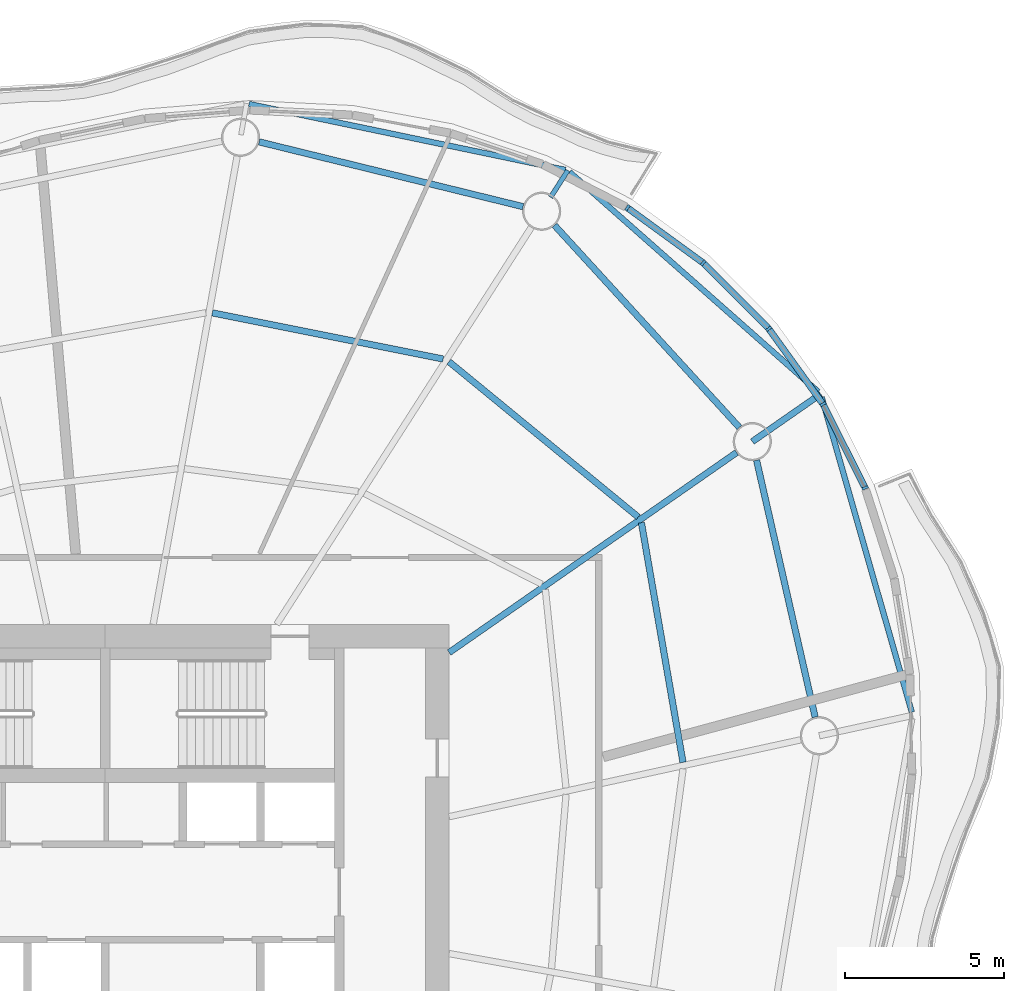
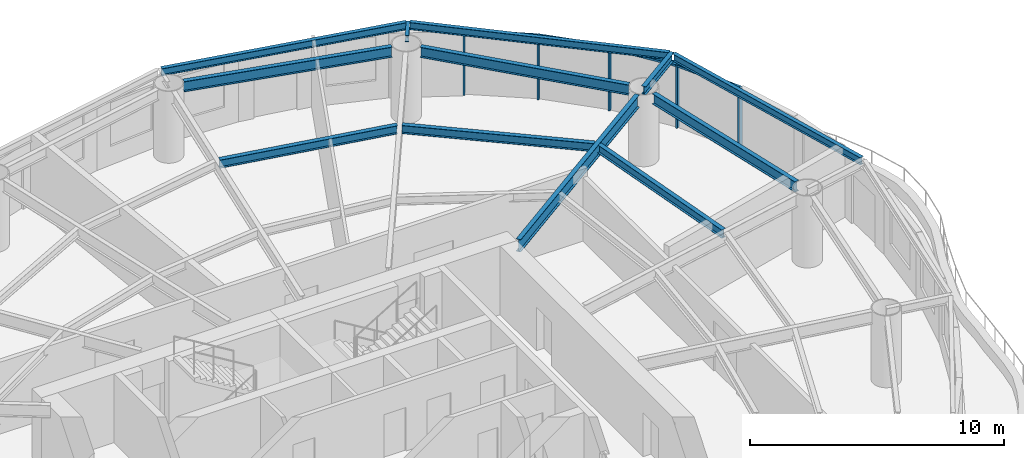
# One storey, part 6 of 14: 12 beams, 9 members, 4 elements without a shape of their own.
"""IFC4 building model written with IfcOpenShell, lengths in metres."""

from ifc_helpers import new_model, si_unit, direction, frame, origin, origin_2d, place, context, subcontext, project, spatial, rectangle, i_section, extrude, material, material_profile, profile_set, type_object, element, aggregate, save


model = new_model("IFC4")

# Units and contexts
model_context = context("Model", 3, precision=1e-05, world=origin(), true_north=direction((0.0, 1.0)))
body_context = subcontext(model_context, "Body", "Model", "MODEL_VIEW")
ifc_project = project(units=[si_unit("LENGTHUNIT", "METRE"), si_unit("AREAUNIT", "SQUARE_METRE"), si_unit("VOLUMEUNIT", "CUBIC_METRE"), si_unit("PLANEANGLEUNIT", "RADIAN"), si_unit("MASSUNIT", "GRAM", prefix="KILO")], contexts=[model_context])

# Site, building, storey
site_placement = place(None, origin())
site = spatial("IfcSite", under=ifc_project, at=site_placement, CompositionType="ELEMENT")
building_placement = place(site_placement, origin())
building = spatial("IfcBuilding", under=site, at=building_placement, Name="Vermilion Reach Broadcast Tower", CompositionType="ELEMENT")
storey_placement = place(building_placement, frame((0.0, 0.0, 195.699951171875)))
storey = spatial("IfcBuildingStorey", under=building, at=storey_placement, Name="L47", CompositionType="ELEMENT", Elevation=195.699951171875)

# Beams
ifc_material_1 = material(Name="Steel S355J2", Category="steel")
ifc_material_profile_1 = material_profile(ifc_material_1, i_section(OverallWidth=0.175048828125, OverallDepth=0.35009765625, WebThickness=0.007080078125, FlangeThickness=0.010986328125, at=origin_2d()), Name="S355J2 HN 350x175x7x11")
ifc_profile_set_1 = profile_set([ifc_material_profile_1], Name="Steel S355J2")
beam_type_1 = type_object("IfcBeamType", Name="EB4 HN 350x175x7x11", PredefinedType="BEAM", material=ifc_profile_set_1)
beam_1_placement = place(storey_placement, frame((8.4462890625, 22.667236328125, 3.275146484375), z_axis=(-0.978954587218, 0.204078210904, 0.0), x_axis=(-0.204078210904, -0.978954587218, 0.0)))
element("IfcBeam", 1, at=beam_1_placement, inside=storey, type_object=beam_type_1, Name="Edge beam EB4-01", PredefinedType="BEAM", context=body_context, shape_type="SweptSolid", body=[
    extrude(i_section(OverallWidth=0.175048828125, OverallDepth=0.35009765625, WebThickness=0.007080078125, FlangeThickness=0.010986328125, at=origin_2d()), origin(), (0.0, 0.0, 1.0), 10.14599609375),
])
beam_2_placement = place(storey_placement, frame((19.326904296875, 5.638427734375, 3.275146484375), z_axis=(-0.275141029007, 0.961403876712, 0.0), x_axis=(-0.961403876712, -0.275141029007, 0.0)))
element("IfcBeam", 2, at=beam_2_placement, inside=storey, type_object=beam_type_1, Name="Edge beam EB4-15", PredefinedType="BEAM", context=body_context, shape_type="SweptSolid", body=[
    extrude(i_section(OverallWidth=0.175048828125, OverallDepth=0.35009765625, WebThickness=0.007080078125, FlangeThickness=0.010986328125, at=origin_2d()), origin(), (0.0, 0.0, 1.0), 10.28955078125),
])
beam_3_placement = place(storey_placement, frame((16.3896484375, 15.700439453125, 3.275146484375), z_axis=(-0.749330978074, 0.662195654847, 0.0), x_axis=(-0.662195654847, -0.749330978074, 0.0)))
element("IfcBeam", 3, at=beam_3_placement, inside=storey, type_object=beam_type_1, Name="Edge beam EB4-16", PredefinedType="BEAM", context=body_context, shape_type="SweptSolid", body=[
    extrude(i_section(OverallWidth=0.175048828125, OverallDepth=0.35009765625, WebThickness=0.007080078125, FlangeThickness=0.010986328125, at=origin_2d()), origin(), (0.0, 0.0, 1.0), 10.420166015625),
])
ifc_material_2 = material(Name="Steel S355J2", Category="steel")
ifc_material_profile_2 = material_profile(ifc_material_2, i_section(OverallWidth=0.199951171875, OverallDepth=0.60009765625, WebThickness=0.010986328125, FlangeThickness=0.01708984375, at=origin_2d()), Name="S355J2 HN 600x200x11x17")
ifc_profile_set_2 = profile_set([ifc_material_profile_2], Name="Steel S355J2")
beam_type_2 = type_object("IfcBeamType", Name="G4 HN 600x200x11x17", PredefinedType="BEAM", material=ifc_profile_set_2)
beam_4_placement = place(storey_placement, frame((4.800048828125, 7.5146484375, 3.150146484375), z_axis=(0.820848627818, 0.571145804684, 0.0), x_axis=(-0.571145804684, 0.820848627818, 0.0)))
element("IfcBeam", 4, at=beam_4_placement, inside=storey, type_object=beam_type_2, Name="Girder G4-16", PredefinedType="BEAM", context=body_context, shape_type="SweptSolid", body=[
    extrude(i_section(OverallWidth=0.199951171875, OverallDepth=0.60009765625, WebThickness=0.010986328125, FlangeThickness=0.01708984375, at=origin_2d()), origin(), (0.0, 0.0, 1.0), 10.99560546875),
])
ifc_material_3 = material(Name="Steel S355J2", Category="steel")
ifc_material_profile_3 = material_profile(ifc_material_3, i_section(OverallWidth=0.199951171875, OverallDepth=0.39990234375, WebThickness=0.008056640625, FlangeThickness=0.012939453125, at=origin_2d()), Name="S355J2 HN 400x200x8x13")
ifc_profile_set_3 = profile_set([ifc_material_profile_3], Name="Steel S355J2")
beam_type_3 = type_object("IfcBeamType", Name="GC4 HN 400x200x8x13", PredefinedType="BEAM", material=ifc_profile_set_3)
beam_5_placement = place(storey_placement, frame((14.318115234375, 14.13720703125, 3.25), z_axis=(0.820836760996, 0.571162859259, 0.0), x_axis=(-0.571162859259, 0.820836760996, 0.0)))
element("IfcBeam", 5, at=beam_5_placement, inside=storey, type_object=beam_type_3, Name="Cantilever girder GC4-16", PredefinedType="BEAM", context=body_context, shape_type="SweptSolid", body=[
    extrude(i_section(OverallWidth=0.199951171875, OverallDepth=0.39990234375, WebThickness=0.008056640625, FlangeThickness=0.012939453125, at=origin_2d()), origin(), (0.0, 0.0, 1.0), 2.61767578125),
])
ifc_material_4 = material(Name="Steel S355J2", Category="steel")
ifc_material_profile_4 = material_profile(ifc_material_4, i_section(OverallWidth=0.14990234375, OverallDepth=0.300048828125, WebThickness=0.006591796875, FlangeThickness=0.009033203125, at=origin_2d()), Name="S355J2 HN 300x150x6.5x9")
ifc_profile_set_4 = profile_set([ifc_material_profile_4], Name="Steel S355J2")
beam_type_4 = type_object("IfcBeamType", Name="GS4 HN 300x150x6.5x9", PredefinedType="BEAM", material=ifc_profile_set_4)
beam_6_placement = place(storey_placement, frame((7.98486328125, 21.808837890625, 3.300048828125), z_axis=(0.539967746168, 0.841685709216, 0.0), x_axis=(-0.841685709216, 0.539967746168, 0.0)))
element("IfcBeam", 6, at=beam_6_placement, inside=storey, type_object=beam_type_4, Name="Cantilever stub GS4-01", PredefinedType="BEAM", context=body_context, shape_type="SweptSolid", body=[
    extrude(i_section(OverallWidth=0.14990234375, OverallDepth=0.300048828125, WebThickness=0.006591796875, FlangeThickness=0.009033203125, at=origin_2d()), origin(), (0.0, 0.0, 1.0), 1.000244140625),
])
ifc_material_5 = material(Name="Steel S355J2", Category="steel")
ifc_material_profile_5 = material_profile(ifc_material_5, i_section(OverallWidth=0.199951171875, OverallDepth=0.5, WebThickness=0.010009765625, FlangeThickness=0.01611328125, at=origin_2d()), Name="S355J2 HN 500x200x10x16")
ifc_profile_set_5 = profile_set([ifc_material_profile_5], Name="Steel S355J2")
beam_type_5 = type_object("IfcBeamType", Name="RB4 HN 500x200x10x16", PredefinedType="BEAM", material=ifc_profile_set_5)
beam_7_placement = place(storey_placement, frame((7.120849609375, 21.51318359375, 3.199951171875), z_axis=(-0.971158622271, 0.238434331398, 0.0), x_axis=(-0.238434331398, -0.971158622271, 0.0)))
element("IfcBeam", 7, at=beam_7_placement, inside=storey, type_object=beam_type_5, Name="Ring beam RB4-01", PredefinedType="BEAM", context=body_context, shape_type="SweptSolid", body=[
    extrude(i_section(OverallWidth=0.199951171875, OverallDepth=0.5, WebThickness=0.010009765625, FlangeThickness=0.01611328125, at=origin_2d()), origin(), (0.0, 0.0, 1.0), 8.534423828125),
])
beam_8_placement = place(storey_placement, frame((16.290283203125, 5.486572265625, 3.199951171875), z_axis=(-0.222283068275, 0.974982172944, 0.0), x_axis=(-0.974982172944, -0.222283068275, 0.0)))
element("IfcBeam", 8, at=beam_8_placement, inside=storey, type_object=beam_type_5, Name="Ring beam RB4-15", PredefinedType="BEAM", context=body_context, shape_type="SweptSolid", body=[
    extrude(i_section(OverallWidth=0.199951171875, OverallDepth=0.5, WebThickness=0.010009765625, FlangeThickness=0.01611328125, at=origin_2d()), origin(), (0.0, 0.0, 1.0), 8.272705078125),
])
beam_9_placement = place(storey_placement, frame((13.9130859375, 14.580078125, 3.199951171875), z_axis=(-0.674868141417, 0.737938338684, 0.0), x_axis=(-0.737938338684, -0.674868141417, 0.0)))
element("IfcBeam", 9, at=beam_9_placement, inside=storey, type_object=beam_type_5, Name="Ring beam RB4-16", PredefinedType="BEAM", context=body_context, shape_type="SweptSolid", body=[
    extrude(i_section(OverallWidth=0.199951171875, OverallDepth=0.5, WebThickness=0.010009765625, FlangeThickness=0.01611328125, at=origin_2d()), origin(), (0.0, 0.0, 1.0), 8.601318359375),
])
ifc_material_6 = material(Name="Steel S355J2", Category="steel")
ifc_material_profile_6 = material_profile(ifc_material_6, i_section(OverallWidth=0.199951171875, OverallDepth=0.39990234375, WebThickness=0.008056640625, FlangeThickness=0.012939453125, at=origin_2d()), Name="S355J2 HN 400x200x8x13")
ifc_profile_set_6 = profile_set([ifc_material_profile_6], Name="Steel S355J2")
beam_type_6 = type_object("IfcBeamType", Name="SB4 HN 400x200x8x13", PredefinedType="BEAM", material=ifc_profile_set_6)
beam_10_placement = place(storey_placement, frame((4.60986328125, 16.73095703125, 3.25), z_axis=(-0.9805717807, 0.196160604851, 0.0), x_axis=(-0.196160604851, -0.9805717807, 0.0)))
element("IfcBeam", 10, at=beam_10_placement, inside=storey, type_object=beam_type_6, Name="Secondary beam SB4-01-2", PredefinedType="BEAM", context=body_context, shape_type="SweptSolid", body=[
    extrude(i_section(OverallWidth=0.199951171875, OverallDepth=0.39990234375, WebThickness=0.008056640625, FlangeThickness=0.012939453125, at=origin_2d()), origin(), (0.0, 0.0, 1.0), 7.390380859375),
])
beam_11_placement = place(storey_placement, frame((12.141357421875, 4.067626953125, 3.25), z_axis=(-0.170926997669, 0.985283695931, 0.0), x_axis=(-0.985283695931, -0.170926997669, 0.0)))
element("IfcBeam", 11, at=beam_11_placement, inside=storey, type_object=beam_type_6, Name="Secondary beam SB4-15-2", PredefinedType="BEAM", context=body_context, shape_type="SweptSolid", body=[
    extrude(i_section(OverallWidth=0.199951171875, OverallDepth=0.39990234375, WebThickness=0.008056640625, FlangeThickness=0.012939453125, at=origin_2d()), origin(), (0.0, 0.0, 1.0), 7.63720703125),
])
beam_12_placement = place(storey_placement, frame((10.73681640625, 11.76708984375, 3.25), z_axis=(-0.772952000494, 0.6344645025, 0.0), x_axis=(-0.6344645025, -0.772952000494, 0.0)))
element("IfcBeam", 12, at=beam_12_placement, inside=storey, type_object=beam_type_6, Name="Secondary beam SB4-16-2", PredefinedType="BEAM", context=body_context, shape_type="SweptSolid", body=[
    extrude(i_section(OverallWidth=0.199951171875, OverallDepth=0.39990234375, WebThickness=0.008056640625, FlangeThickness=0.012939453125, at=origin_2d()), origin(), (0.0, 0.0, 1.0), 7.689697265625),
])

# Curtain wall, member
ifc_material_7 = material(Name="Low-e laminated clear glass in aluminium frame", Category="aluminium")
curtain_wall_type = type_object("IfcCurtainWallType", Name="Slot curtain wall", PredefinedType="NOTDEFINED", material=ifc_material_7)
placement = place(storey_placement, origin())
curtain_wall_1 = element("IfcCurtainWall", 13, at=placement, inside=storey, type_object=curtain_wall_type, Name="Slot curtain wall L47 46", PredefinedType="NOTDEFINED")
ifc_material_8 = material(Name="Anodised aluminium", Category="aluminium")
ifc_material_profile_7 = material_profile(ifc_material_8, rectangle(XDim=0.199951171875, YDim=0.080078125, at=origin_2d()), Name="Slot mullion 80 x 200")
ifc_profile_set_7 = profile_set([ifc_material_profile_7], Name="Anodised aluminium")
member_type_1 = type_object("IfcMemberType", Name="Slot mullion 80 x 200", PredefinedType="MULLION", material=ifc_profile_set_7)
member_1_placement = place(storey_placement, frame((17.8583984375, 12.685546875, 0.0), z_axis=(0.0, 0.0, 1.0), x_axis=(-0.925563320286, -0.378592842167, 0.0)))
member_1 = element("IfcMember", 14, at=member_1_placement, type_object=member_type_1, Name="Slot mullion L47 46", PredefinedType="MULLION", context=body_context, shape_type="SweptSolid", body=[
    extrude(rectangle(XDim=0.199951171875, YDim=0.080078125, at=origin_2d()), origin(), (0.0, 0.0, 1.0), 3.050048828125),
])

curtain_wall_2 = element("IfcCurtainWall", 15, at=placement, inside=storey, type_object=curtain_wall_type, Name="Slot curtain wall L47 47", PredefinedType="NOTDEFINED")
member_2_placement = place(storey_placement, frame((16.537841796875, 15.31396484375, 0.0), z_axis=(0.0, 0.0, 1.0), x_axis=(-0.855263727672, -0.518192971903, 0.0)))
member_2 = element("IfcMember", 16, at=member_2_placement, type_object=member_type_1, Name="Slot mullion L47 47", PredefinedType="MULLION", context=body_context, shape_type="SweptSolid", body=[
    extrude(rectangle(XDim=0.199951171875, YDim=0.080078125, at=origin_2d()), origin(), (0.0, 0.0, 1.0), 3.050048828125),
])

curtain_wall_3 = element("IfcCurtainWall", 17, at=placement, inside=storey, type_object=curtain_wall_type, Name="Slot curtain wall L47 00", PredefinedType="NOTDEFINED")
member_3_placement = place(storey_placement, frame((14.833984375, 17.68115234375, 0.0), z_axis=(0.0, 0.0, 1.0), x_axis=(-0.762442530741, -0.647055938322, 0.0)))
member_3 = element("IfcMember", 18, at=member_3_placement, type_object=member_type_1, Name="Slot mullion L47 00", PredefinedType="MULLION", context=body_context, shape_type="SweptSolid", body=[
    extrude(rectangle(XDim=0.199951171875, YDim=0.080078125, at=origin_2d()), origin(), (0.0, 0.0, 1.0), 3.050048828125),
])

# Curtain wall, members
curtain_wall_4 = element("IfcCurtainWall", 19, at=placement, inside=storey, type_object=curtain_wall_type, Name="Slot curtain wall L47 01", PredefinedType="NOTDEFINED")
member_4_placement = place(storey_placement, frame((12.775634765625, 19.7470703125, 0.0), z_axis=(0.0, 0.0, 1.0), x_axis=(-0.650391347688, -0.759599298876, 0.0)))
member_4 = element("IfcMember", 20, at=member_4_placement, type_object=member_type_1, Name="Slot mullion L47 01", PredefinedType="MULLION", context=body_context, shape_type="SweptSolid", body=[
    extrude(rectangle(XDim=0.199951171875, YDim=0.080078125, at=origin_2d()), origin(), (0.0, 0.0, 1.0), 3.050048828125),
])
member_5_placement = place(storey_placement, frame((10.39697265625, 21.477783203125, 0.0), z_axis=(0.0, 0.0, 1.0), x_axis=(-0.524083236941, -0.851667048064, 0.0)))
member_5 = element("IfcMember", 21, at=member_5_placement, type_object=member_type_1, Name="Slot mullion L47 02", PredefinedType="MULLION", context=body_context, shape_type="SweptSolid", body=[
    extrude(rectangle(XDim=0.199951171875, YDim=0.080078125, at=origin_2d()), origin(), (0.0, 0.0, 1.0), 3.050048828125),
])

# Member
ifc_material_9 = material(Name="Anodised aluminium", Category="aluminium")
ifc_material_profile_8 = material_profile(ifc_material_9, rectangle(XDim=0.199951171875, YDim=0.10009765625, at=origin_2d()), Name="Slot transom 200 x 100")
ifc_profile_set_8 = profile_set([ifc_material_profile_8], Name="Anodised aluminium")
member_type_2 = type_object("IfcMemberType", Name="Slot transom 200 x 100", PredefinedType="USERDEFINED", material=ifc_profile_set_8)
member_6_placement = place(storey_placement, frame((17.840576171875, 12.72119140625, 3.0), z_axis=(-0.448919049519, 0.893572429621, 0.0), x_axis=(-0.893572429621, -0.448919049519, 0.0)))
member_6 = element("IfcMember", 22, at=member_6_placement, type_object=member_type_2, Name="Slot transom L47 46.1", ObjectType="TRANSOM", PredefinedType="USERDEFINED", context=body_context, shape_type="SweptSolid", body=[
    extrude(rectangle(XDim=0.199951171875, YDim=0.10009765625, at=origin_2d()), origin(), (0.0, 0.0, 1.0), 2.861572265625),
])

aggregate(curtain_wall_1, [member_1, member_6])

member_7_placement = place(storey_placement, frame((16.514404296875, 15.346435546875, 3.0), z_axis=(-0.584157336011, 0.811640441812, 0.0), x_axis=(-0.811640441812, -0.584157336011, 0.0)))
member_7 = element("IfcMember", 23, at=member_7_placement, type_object=member_type_2, Name="Slot transom L47 47.1", ObjectType="TRANSOM", PredefinedType="USERDEFINED", context=body_context, shape_type="SweptSolid", body=[
    extrude(rectangle(XDim=0.199951171875, YDim=0.10009765625, at=origin_2d()), origin(), (0.0, 0.0, 1.0), 2.83642578125),
])

aggregate(curtain_wall_2, [member_2, member_7])

member_8_placement = place(storey_placement, frame((14.805908203125, 17.70947265625, 3.0), z_axis=(-0.705814478392, 0.708396726483, 0.0), x_axis=(-0.708396726483, -0.705814478392, 0.0)))
member_8 = element("IfcMember", 24, at=member_8_placement, type_object=member_type_2, Name="Slot transom L47 00.1", ObjectType="TRANSOM", PredefinedType="USERDEFINED", context=body_context, shape_type="SweptSolid", body=[
    extrude(rectangle(XDim=0.199951171875, YDim=0.10009765625, at=origin_2d()), origin(), (0.0, 0.0, 1.0), 2.83642578125),
])

aggregate(curtain_wall_3, [member_3, member_8])

member_9_placement = place(storey_placement, frame((12.7431640625, 19.770751953125, 3.0), z_axis=(-0.808658597921, 0.5882782267, 0.0), x_axis=(-0.5882782267, -0.808658597921, 0.0)))
member_9 = element("IfcMember", 25, at=member_9_placement, type_object=member_type_2, Name="Slot transom L47 01.1", ObjectType="TRANSOM", PredefinedType="USERDEFINED", context=body_context, shape_type="SweptSolid", body=[
    extrude(rectangle(XDim=0.199951171875, YDim=0.10009765625, at=origin_2d()), origin(), (0.0, 0.0, 1.0), 2.861572265625),
])

aggregate(curtain_wall_4, [member_4, member_5, member_9])

save(model, "model.ifc")
